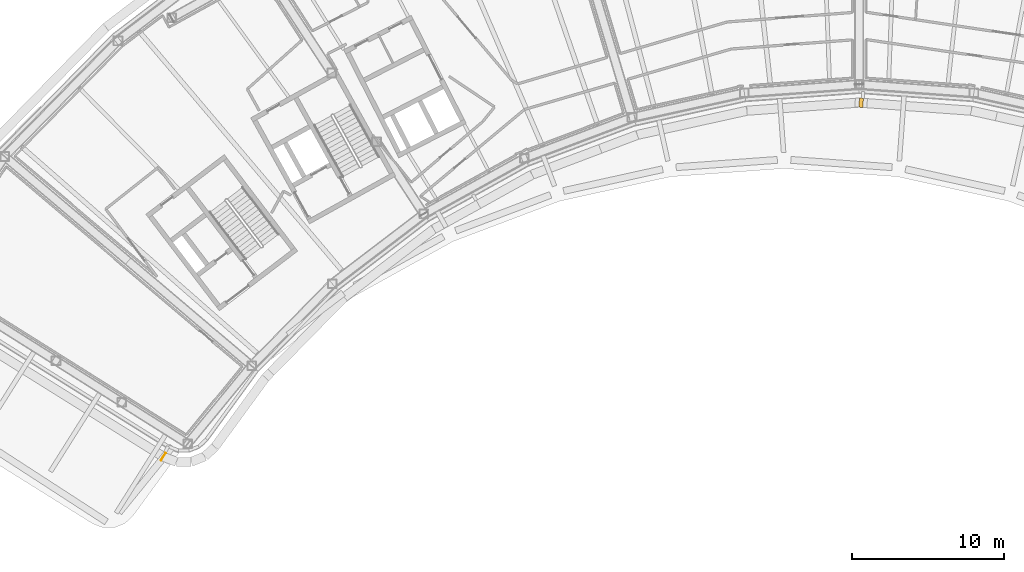
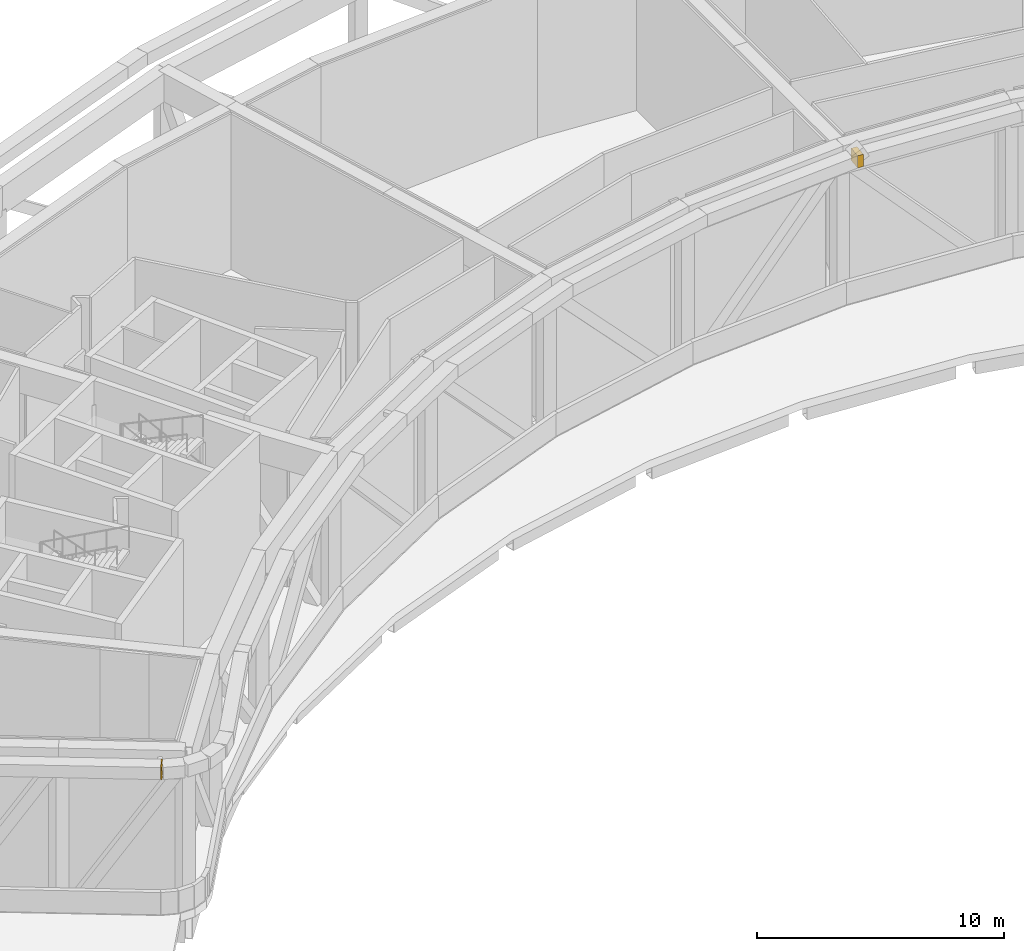
# One storey, part 27 of 27: 2 coverings.
"""IFC4 building model written with IfcOpenShell, lengths in metres."""

from ifc_helpers import new_model, si_unit, direction, frame, origin, origin_2d, place, context, subcontext, project, spatial, rectangle, extrude, material, material_profile, profile_set, type_object, element, save


model = new_model("IFC4")

# Units and contexts
model_context = context("Model", 3, precision=1e-05, world=origin(), true_north=direction((0.0, 1.0)))
body_context = subcontext(model_context, "Body", "Model", "MODEL_VIEW")
ifc_project = project(units=[si_unit("LENGTHUNIT", "METRE"), si_unit("AREAUNIT", "SQUARE_METRE"), si_unit("VOLUMEUNIT", "CUBIC_METRE"), si_unit("PLANEANGLEUNIT", "RADIAN"), si_unit("MASSUNIT", "GRAM", prefix="KILO")], contexts=[model_context])

# Site, building, storey
site_placement = place(None, origin())
site = spatial("IfcSite", under=ifc_project, at=site_placement, CompositionType="ELEMENT")
building_placement = place(site_placement, origin())
building = spatial("IfcBuilding", under=site, at=building_placement, Name="Tuul Gate Civic Tower", CompositionType="ELEMENT")
storey_placement = place(building_placement, frame((0.0, 0.0, 201.5)))
storey = spatial("IfcBuildingStorey", under=building, at=storey_placement, Name="Wind floor 1", CompositionType="ELEMENT", Elevation=201.5)

# Coverings
ifc_material = material(Name="Terracotta baguette", Category="masonry")
ifc_material_profile = material_profile(ifc_material, rectangle(XDim=0.60009765625, YDim=0.60009765625, at=origin_2d()), Name="Terracotta baguette screen frame")
ifc_profile_set = profile_set([ifc_material_profile], Name="Terracotta baguette")
covering_type = type_object("IfcCoveringType", Name="Terracotta baguette screen frame", PredefinedType="CLADDING", material=ifc_profile_set)
covering_1_placement = place(storey_placement, frame((-39.989501953125, -27.34033203125, 7.64990234375), z_axis=(0.847998304005, -0.529998940003, 0.0), x_axis=(0.529998940003, 0.847998304005, 0.0)))
element("IfcCovering", 1, at=covering_1_placement, inside=storey, type_object=covering_type, Name="Baguette 157", PredefinedType="CLADDING", context=body_context, shape_type="SweptSolid", body=[
    extrude(rectangle(XDim=0.60009765625, YDim=0.60009765625, at=origin_2d()), origin(), (0.0, 0.0, 1.0), 0.052978515625),
])
covering_2_placement = place(storey_placement, frame((5.93994140625, -3.993896484375, 7.64990234375), z_axis=(0.997363368837, -0.072569349598, 0.0), x_axis=(0.072569349598, 0.997363368837, 0.0)))
element("IfcCovering", 2, at=covering_2_placement, inside=storey, type_object=covering_type, Name="Baguette 396", PredefinedType="CLADDING", context=body_context, shape_type="SweptSolid", body=[
    extrude(rectangle(XDim=0.60009765625, YDim=0.60009765625, at=origin_2d()), origin(), (0.0, 0.0, 1.0), 0.262451171875),
])

save(model, "model.ifc")
